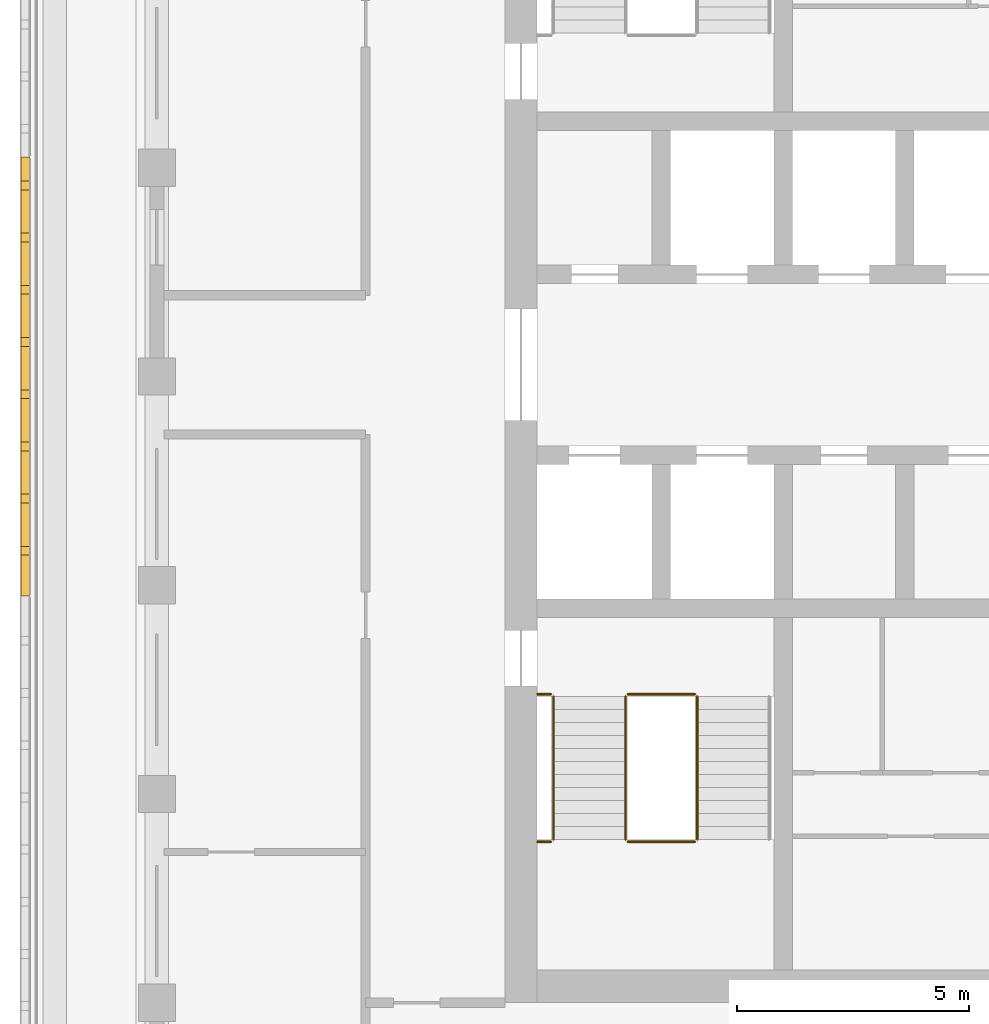
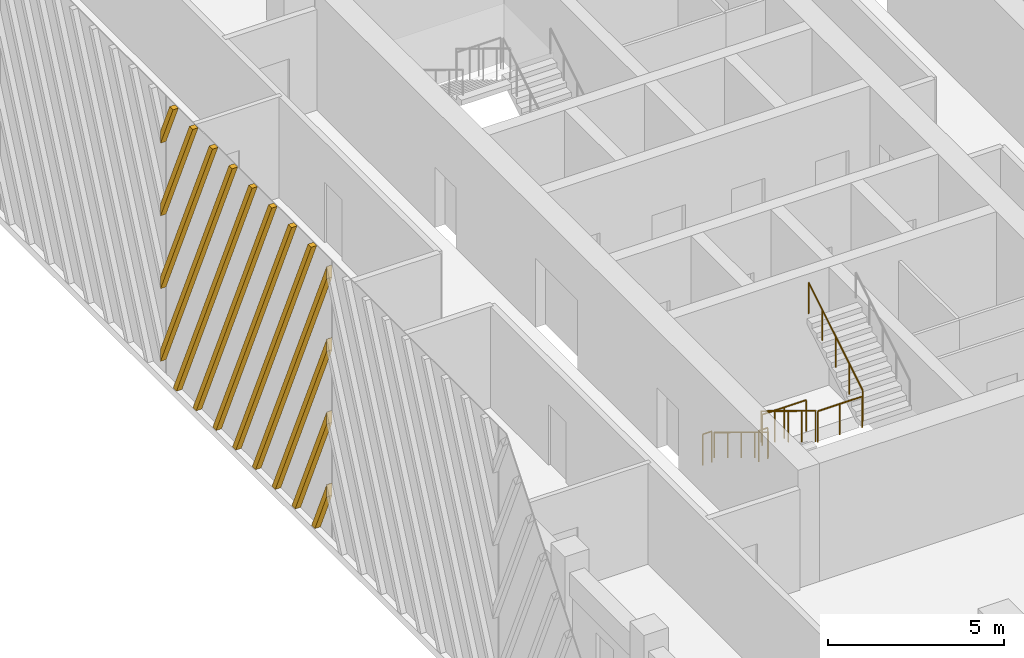
# One storey, part 10 of 17: 7 railings, 1 shading device.
"""IFC4 building model written with IfcOpenShell, lengths in metres."""

from ifc_helpers import new_model, si_unit, direction, frame, origin, origin_2d, place, context, subcontext, project, spatial, polyline, circle, outline, extrude, source, transform, mapped, material, type_object, element, save


model = new_model("IFC4")

# Units and contexts
model_context = context("Model", 3, precision=1e-05, world=origin(), true_north=direction((0.0, 1.0)))
body_context = subcontext(model_context, "Body", "Model", "MODEL_VIEW")
ifc_project = project(units=[si_unit("LENGTHUNIT", "METRE"), si_unit("AREAUNIT", "SQUARE_METRE"), si_unit("VOLUMEUNIT", "CUBIC_METRE"), si_unit("PLANEANGLEUNIT", "RADIAN"), si_unit("MASSUNIT", "GRAM", prefix="KILO")], contexts=[model_context])

# Site, building, storey
site_placement = place(None, origin())
site = spatial("IfcSite", under=ifc_project, at=site_placement, CompositionType="ELEMENT")
building_placement = place(site_placement, origin())
building = spatial("IfcBuilding", under=site, at=building_placement, Name="Corbel Stack Research Tower", CompositionType="ELEMENT")
storey_placement = place(building_placement, frame((0.0, 0.0, 256.199951171875)))
storey = spatial("IfcBuildingStorey", under=building, at=storey_placement, Name="L58", CompositionType="ELEMENT", Elevation=256.199951171875)

# Railings
ifc_material_1 = material(Name="Steel S355", Category="steel")
railing_type_1 = type_object("IfcRailingType", Name="Stair guard 1100", PredefinedType="GUARDRAIL", material=ifc_material_1)
railing_1_placement = place(storey_placement, frame((-7.89990234375, -2.39990234375, 0.1708984375)))
element("IfcRailing", 1, at=railing_1_placement, inside=storey, type_object=railing_type_1, Name="L58 ST-W1 stair guard 1", PredefinedType="GUARDRAIL", context=body_context, shape_type="SweptSolid", body=[
    extrude(circle(Radius=0.02392578125, at=origin_2d()), frame((0.0, 0.0, 1.076171875), z_axis=(0.0, -0.853666305674, 0.52082035152), x_axis=(1.0, 0.0, 0.0)), (0.0, 0.0, 1.0), 3.608154296875),
    extrude(circle(Radius=0.02099609375, at=origin_2d()), origin(), (0.0, 0.0, 1.0), 1.052001953125),
    extrude(circle(Radius=0.02099609375, at=origin_2d()), frame((0.0, -0.77001953125, 0.4697265625)), (0.0, 0.0, 1.0), 1.052001953125),
    extrude(circle(Radius=0.02099609375, at=origin_2d()), frame((0.0, -1.5400390625, 0.939453125)), (0.0, 0.0, 1.0), 1.052001953125),
    extrude(circle(Radius=0.02099609375, at=origin_2d()), frame((0.0, -2.31005859375, 1.409423828125)), (0.0, 0.0, 1.0), 1.052001953125),
    extrude(circle(Radius=0.02099609375, at=origin_2d()), frame((0.0, -3.080078125, 1.879150390625)), (0.0, 0.0, 1.0), 1.052001953125),
])
railing_2_placement = place(storey_placement, frame((-7.85009765625, -5.530029296875, 2.050048828125)))
element("IfcRailing", 2, at=railing_2_placement, inside=storey, type_object=railing_type_1, Name="L58 ST-W1 stair guard 2", PredefinedType="GUARDRAIL", context=body_context, shape_type="SweptSolid", body=[
    extrude(circle(Radius=0.02392578125, at=origin_2d()), frame((0.0, 0.0, 1.076171875), z_axis=(1.0, 0.0, 0.0), x_axis=(0.0, 1.0, 0.0)), (0.0, 0.0, 1.0), 1.4501953125),
    extrude(circle(Radius=0.02099609375, at=origin_2d()), origin(), (0.0, 0.0, 1.0), 1.052001953125),
    extrude(circle(Radius=0.02099609375, at=origin_2d()), frame((0.72509765625, 0.0, 0.0)), (0.0, 0.0, 1.0), 1.052001953125),
    extrude(circle(Radius=0.02099609375, at=origin_2d()), frame((1.4501953125, 0.0, 0.0)), (0.0, 0.0, 1.0), 1.052001953125),
])
railing_3_placement = place(storey_placement, frame((-9.800048828125, -5.530029296875, 2.050048828125)))
element("IfcRailing", 3, at=railing_3_placement, inside=storey, type_object=railing_type_1, Name="L58 ST-W1 stair guard 3", PredefinedType="GUARDRAIL", context=body_context, shape_type="SweptSolid", body=[
    extrude(circle(Radius=0.02392578125, at=origin_2d()), frame((0.0, 0.0, 1.076171875), z_axis=(1.0, 0.0, 0.0), x_axis=(0.0, 1.0, 0.0)), (0.0, 0.0, 1.0), 0.300048828125),
    extrude(circle(Radius=0.02099609375, at=origin_2d()), origin(), (0.0, 0.0, 1.0), 1.052001953125),
    extrude(circle(Radius=0.02099609375, at=origin_2d()), frame((0.300048828125, 0.0, 0.0)), (0.0, 0.0, 1.0), 1.052001953125),
])
railing_4_placement = place(storey_placement, frame((-6.35009765625, -5.47998046875, 2.220947265625)))
element("IfcRailing", 4, at=railing_4_placement, inside=storey, type_object=railing_type_1, Name="L58 ST-W1 stair guard 4", PredefinedType="GUARDRAIL", context=body_context, shape_type="SweptSolid", body=[
    extrude(circle(Radius=0.02392578125, at=origin_2d()), frame((0.0, 0.0, 1.076171875), z_axis=(0.0, 0.853666305674, 0.52082035152), x_axis=(-1.0, 0.0, 0.0)), (0.0, 0.0, 1.0), 3.608154296875),
    extrude(circle(Radius=0.02099609375, at=origin_2d()), origin(), (0.0, 0.0, 1.0), 1.052001953125),
    extrude(circle(Radius=0.02099609375, at=origin_2d()), frame((0.0, 0.77001953125, 0.4697265625)), (0.0, 0.0, 1.0), 1.052001953125),
    extrude(circle(Radius=0.02099609375, at=origin_2d()), frame((0.0, 1.5400390625, 0.939453125)), (0.0, 0.0, 1.0), 1.052001953125),
    extrude(circle(Radius=0.02099609375, at=origin_2d()), frame((0.0, 2.31005859375, 1.409423828125)), (0.0, 0.0, 1.0), 1.052001953125),
    extrude(circle(Radius=0.02099609375, at=origin_2d()), frame((0.0, 3.080078125, 1.879150390625)), (0.0, 0.0, 1.0), 1.052001953125),
])
railing_5_placement = place(storey_placement, frame((-7.85009765625, -2.35009765625, 0.0)))
element("IfcRailing", 5, at=railing_5_placement, inside=storey, type_object=railing_type_1, Name="L58 ST-W1 stair guard 5", PredefinedType="GUARDRAIL", context=body_context, shape_type="SweptSolid", body=[
    extrude(circle(Radius=0.02392578125, at=origin_2d()), frame((0.0, 0.0, 1.076171875), z_axis=(1.0, 0.0, 0.0), x_axis=(0.0, 1.0, 0.0)), (0.0, 0.0, 1.0), 1.4501953125),
    extrude(circle(Radius=0.02099609375, at=origin_2d()), origin(), (0.0, 0.0, 1.0), 1.052001953125),
    extrude(circle(Radius=0.02099609375, at=origin_2d()), frame((0.72509765625, 0.0, 0.0)), (0.0, 0.0, 1.0), 1.052001953125),
    extrude(circle(Radius=0.02099609375, at=origin_2d()), frame((1.4501953125, 0.0, 0.0)), (0.0, 0.0, 1.0), 1.052001953125),
])
railing_6_placement = place(storey_placement, frame((-9.800048828125, -2.35009765625, 0.0)))
element("IfcRailing", 6, at=railing_6_placement, inside=storey, type_object=railing_type_1, Name="L58 ST-W1 stair guard 6", PredefinedType="GUARDRAIL", context=body_context, shape_type="SweptSolid", body=[
    extrude(circle(Radius=0.02392578125, at=origin_2d()), frame((0.0, 0.0, 1.076171875), z_axis=(1.0, 0.0, 0.0), x_axis=(0.0, 1.0, 0.0)), (0.0, 0.0, 1.0), 0.300048828125),
    extrude(circle(Radius=0.02099609375, at=origin_2d()), origin(), (0.0, 0.0, 1.0), 1.052001953125),
    extrude(circle(Radius=0.02099609375, at=origin_2d()), frame((0.300048828125, 0.0, 0.0)), (0.0, 0.0, 1.0), 1.052001953125),
])
ifc_material_2 = material(Name="Steel S355", Category="steel")
railing_type_2 = type_object("IfcRailingType", Name="Stair handrail 900", PredefinedType="HANDRAIL", material=ifc_material_2)
railing_7_placement = place(storey_placement, frame((-9.449951171875, -2.39990234375, 0.1708984375)))
element("IfcRailing", 7, at=railing_7_placement, inside=storey, type_object=railing_type_2, Name="L58 ST-W1 stair handrail 1", PredefinedType="HANDRAIL", context=body_context, shape_type="SweptSolid", body=[
    extrude(circle(Radius=0.02392578125, at=origin_2d()), frame((0.0, 0.0, 0.8759765625), z_axis=(0.0, -0.853666305674, 0.52082035152), x_axis=(1.0, 0.0, 0.0)), (0.0, 0.0, 1.0), 3.608154296875),
    extrude(circle(Radius=0.02099609375, at=origin_2d()), origin(), (0.0, 0.0, 1.0), 0.851806640625),
    extrude(circle(Radius=0.02099609375, at=origin_2d()), frame((0.0, -0.77001953125, 0.4697265625)), (0.0, 0.0, 1.0), 0.851806640625),
    extrude(circle(Radius=0.02099609375, at=origin_2d()), frame((0.0, -1.5400390625, 0.939453125)), (0.0, 0.0, 1.0), 0.851806640625),
    extrude(circle(Radius=0.02099609375, at=origin_2d()), frame((0.0, -2.31005859375, 1.409423828125)), (0.0, 0.0, 1.0), 0.851806640625),
    extrude(circle(Radius=0.02099609375, at=origin_2d()), frame((0.0, -3.080078125, 1.879150390625)), (0.0, 0.0, 1.0), 0.851806640625),
])

# Shading device
ifc_material_3 = material(Name="Precast terracotta", Category="masonry")
shading_device_type = type_object("IfcShadingDeviceType", Name="Terracotta screen panel", PredefinedType="USERDEFINED", material=ifc_material_3)
shared_shape = source(origin(), body_context, "Body", "SweptSolid", [
    extrude(outline(polyline([(0.705078125, 9.64990234375), (0.514892578125, 9.64990234375), (0.0, 8.493408203125), (0.0, 8.066650390625), (0.705078125, 9.64990234375)])), frame((0.0, 0.0, 0.0), z_axis=(0.0, -1.0, 0.0), x_axis=(1.0, 0.0, 0.0)), (0.0, 0.0, 1.0), 0.179931640625),
    extrude(outline(polyline([(1.830078125, 9.64990234375), (1.639892578125, 9.64990234375), (0.0, 5.966552734375), (0.0, 5.539794921875), (1.830078125, 9.64990234375)])), frame((0.0, 0.0, 0.0), z_axis=(0.0, -1.0, 0.0), x_axis=(1.0, 0.0, 0.0)), (0.0, 0.0, 1.0), 0.179931640625),
    extrude(outline(polyline([(2.955078125, 9.64990234375), (2.764892578125, 9.64990234375), (0.0, 3.439697265625), (0.0, 3.01318359375), (2.955078125, 9.64990234375)])), frame((0.0, 0.0, 0.0), z_axis=(0.0, -1.0, 0.0), x_axis=(1.0, 0.0, 0.0)), (0.0, 0.0, 1.0), 0.179931640625),
    extrude(outline(polyline([(4.080078125, 9.64990234375), (3.889892578125, 9.64990234375), (0.0, 0.9130859375), (0.0, 0.486328125), (4.080078125, 9.64990234375)])), frame((0.0, 0.0, 0.0), z_axis=(0.0, -1.0, 0.0), x_axis=(1.0, 0.0, 0.0)), (0.0, 0.0, 1.0), 0.179931640625),
    extrude(outline(polyline([(0.908447265625, 0.0), (5.205078125, 9.64990234375), (5.014892578125, 9.64990234375), (0.718505859375, 0.0), (0.908447265625, 0.0)])), frame((0.0, 0.0, 0.0), z_axis=(0.0, -1.0, 0.0), x_axis=(1.0, 0.0, 0.0)), (0.0, 0.0, 1.0), 0.179931640625),
    extrude(outline(polyline([(2.033447265625, 0.0), (6.330078125, 9.64990234375), (6.139892578125, 9.64990234375), (1.843505859375, 0.0), (2.033447265625, 0.0)])), frame((0.0, 0.0, 0.0), z_axis=(0.0, -1.0, 0.0), x_axis=(1.0, 0.0, 0.0)), (0.0, 0.0, 1.0), 0.179931640625),
    extrude(outline(polyline([(3.158447265625, 0.0), (7.455078125, 9.64990234375), (7.264892578125, 9.64990234375), (2.968505859375, 0.0), (3.158447265625, 0.0)])), frame((0.0, 0.0, 0.0), z_axis=(0.0, -1.0, 0.0), x_axis=(1.0, 0.0, 0.0)), (0.0, 0.0, 1.0), 0.179931640625),
    extrude(outline(polyline([(4.283447265625, 0.0), (8.580078125, 9.64990234375), (8.389892578125, 9.64990234375), (4.093505859375, 0.0), (4.283447265625, 0.0)])), frame((0.0, 0.0, 0.0), z_axis=(0.0, -1.0, 0.0), x_axis=(1.0, 0.0, 0.0)), (0.0, 0.0, 1.0), 0.179931640625),
    extrude(outline(polyline([(5.408447265625, 0.0), (9.45556640625, 9.090087890625), (9.45556640625, 9.516845703125), (5.218505859375, 0.0), (5.408447265625, 0.0)])), frame((0.0, 0.0, 0.0), z_axis=(0.0, -1.0, 0.0), x_axis=(1.0, 0.0, 0.0)), (0.0, 0.0, 1.0), 0.179931640625),
    extrude(outline(polyline([(6.533447265625, 0.0), (9.45556640625, 6.563232421875), (9.45556640625, 6.989990234375), (6.343505859375, 0.0), (6.533447265625, 0.0)])), frame((0.0, 0.0, 0.0), z_axis=(0.0, -1.0, 0.0), x_axis=(1.0, 0.0, 0.0)), (0.0, 0.0, 1.0), 0.179931640625),
    extrude(outline(polyline([(7.658447265625, 0.0), (9.45556640625, 4.036376953125), (9.45556640625, 4.463134765625), (7.468505859375, 0.0), (7.658447265625, 0.0)])), frame((0.0, 0.0, 0.0), z_axis=(0.0, -1.0, 0.0), x_axis=(1.0, 0.0, 0.0)), (0.0, 0.0, 1.0), 0.179931640625),
    extrude(outline(polyline([(8.783447265625, 0.0), (9.45556640625, 1.509521484375), (9.45556640625, 1.936279296875), (8.593505859375, 0.0), (8.783447265625, 0.0)])), frame((0.0, 0.0, 0.0), z_axis=(0.0, -1.0, 0.0), x_axis=(1.0, 0.0, 0.0)), (0.0, 0.0, 1.0), 0.179931640625),
])
shading_device_placement = place(storey_placement, frame((-20.75, 9.227783203125, 0.0), z_axis=(0.0, 0.0, 1.0), x_axis=(0.0, -1.0, 0.0)))
element("IfcShadingDevice", 8, at=shading_device_placement, inside=storey, type_object=shading_device_type, Name="Terracotta screen L58 W3", ObjectType="SCREEN", PredefinedType="USERDEFINED", context=body_context, shape_type="MappedRepresentation", body=[
    mapped(shared_shape, transform((0.0, 0.0, 0.0))),
])

save(model, "model.ifc")
